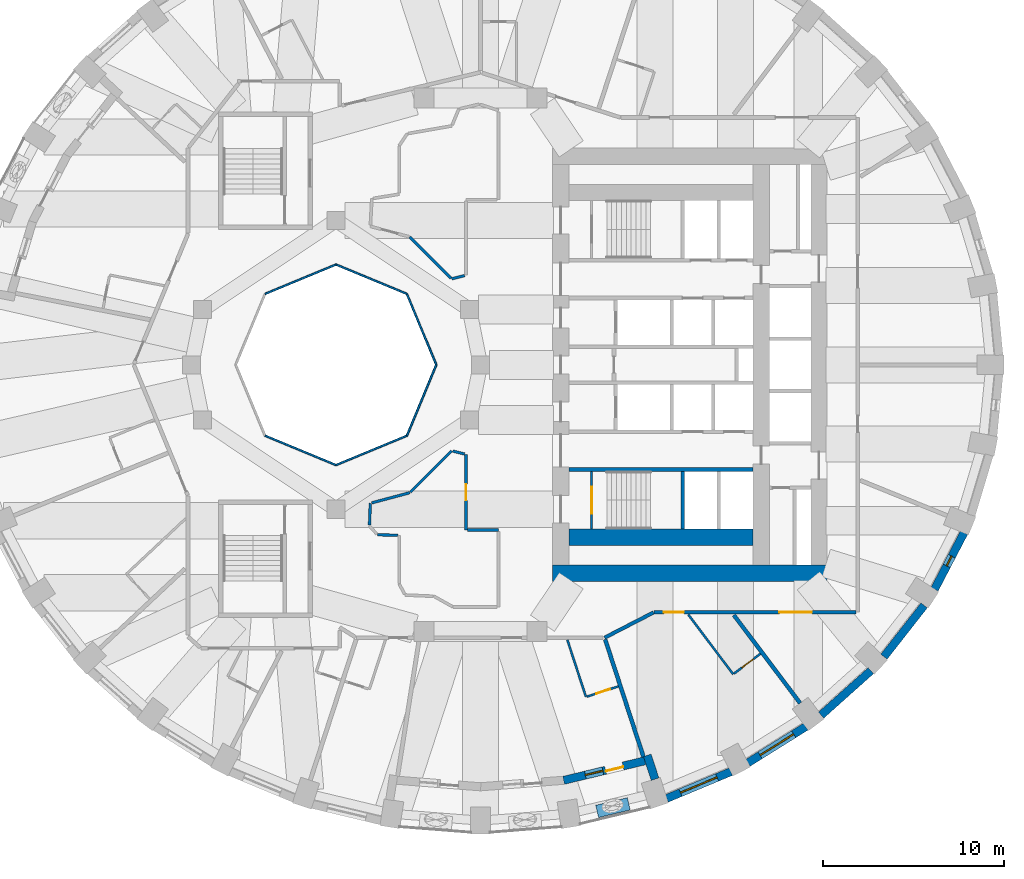
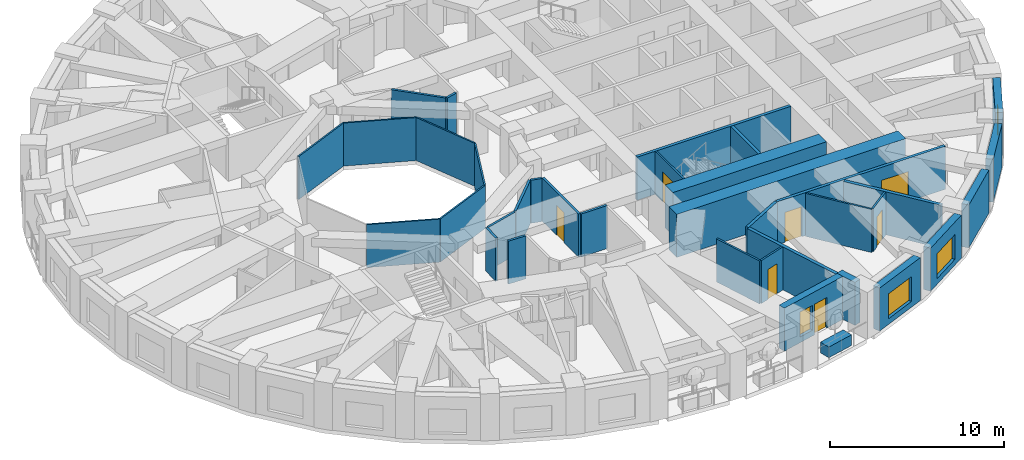
# One storey, part 5 of 13: 36 walls, 7 doors, 4 windows, 11 openings.
"""IFC4 building model written with IfcOpenShell, lengths in metres."""

from ifc_helpers import new_model, si_unit, direction, frame, frame_2d, origin, place, context, subcontext, project, spatial, rectangle, extrude, material, layer, layer_set, constituent, constituent_set, type_object, element, fill, save


model = new_model("IFC4")

# Units and contexts
model_context = context("Model", 3, precision=1e-05, world=origin(), true_north=direction((0.0, 1.0)))
body_context = subcontext(model_context, "Body", "Model", "MODEL_VIEW")
ifc_project = project(units=[si_unit("LENGTHUNIT", "METRE"), si_unit("AREAUNIT", "SQUARE_METRE"), si_unit("VOLUMEUNIT", "CUBIC_METRE"), si_unit("PLANEANGLEUNIT", "RADIAN"), si_unit("MASSUNIT", "GRAM", prefix="KILO")], contexts=[model_context])

# Site, building, storey
site_placement = place(None, origin())
site = spatial("IfcSite", under=ifc_project, at=site_placement, CompositionType="ELEMENT")
building_placement = place(site_placement, origin())
building = spatial("IfcBuilding", under=site, at=building_placement, Name="Taillehof Tower", CompositionType="ELEMENT")
storey_placement = place(building_placement, frame((0.0, 0.0, 71.199951171875)))
storey = spatial("IfcBuildingStorey", under=building, at=storey_placement, Name="L19", CompositionType="ELEMENT", Elevation=71.199951171875)

# Walls
ifc_material_1 = material(Name="Fire-resisting glass in steel frame", Category="steel")
ifc_layer_1 = layer(ifc_material_1, 0.10009765625)
ifc_layer_set_1 = layer_set([ifc_layer_1], Name="Atrium fire-resisting screen EI 60 100")
wall_type_1 = type_object("IfcWallType", Name="Atrium fire-resisting screen EI 60 100", PredefinedType="PARTITIONING", material=ifc_layer_set_1)
for number, where, z_axis, x_axis, name in (
    (1, (-2.44580078125, 0.0, 0.0), (0.0, 0.0, 1.0), (-0.382730523909, -0.923860025149, 0.0), "Atrium screen"),
    (2, (-4.07275390625, -3.92724609375, 0.0), (0.0, 0.0, 1.0), (-0.923860025149, -0.382730523909, 0.0), "Atrium screen"),
    (3, (-8.0, -5.55419921875, 0.0), (0.0, 0.0, 1.0), (-0.923860025149, 0.382730523909, 0.0), "Atrium screen"),
    (4, (-11.92724609375, 3.92724609375, 0.0), (0.0, 0.0, 1.0), (0.923860025149, 0.382730523909, 0.0), "Atrium screen"),
    (5, (-8.0, 5.55419921875, 0.0), (0.0, 0.0, 1.0), (0.923860025149, -0.382730523909, 0.0), "Atrium screen"),
    (6, (-4.07275390625, 3.92724609375, 0.0), (0.0, 0.0, 1.0), (0.382730523909, -0.923860025149, 0.0), "Atrium screen"),
):
    element("IfcWall", number, at=place(storey_placement, frame(where, z_axis=z_axis, x_axis=x_axis)), inside=storey, type_object=wall_type_1, Name=name, PredefinedType="PARTITIONING", context=body_context, shape_type="SweptSolid", body=[
        extrude(rectangle(XDim=4.2509765625, YDim=0.10009765625, at=frame_2d((2.12548828125, 0.0))), origin(), (0.0, 0.0, 1.0), 3.02001953125),
    ])

# Wall, opening, window
ifc_material_2 = material(Name="Brick masonry", Category="masonry")
ifc_layer_2 = layer(ifc_material_2, 0.449951171875)
ifc_layer_set_2 = layer_set([ifc_layer_2], Name="Brick infill wall 450")
wall_type_2 = type_object("IfcWallType", Name="Brick infill wall 450", PredefinedType="SOLIDWALL", material=ifc_layer_set_2)
wall_1_placement = place(storey_placement, frame((10.3154296875, -24.02099609375, 0.0), z_axis=(0.0, 0.0, 1.0), x_axis=(0.923031964282, 0.384723267966, 0.0)))
wall_1 = element("IfcWall", 7, at=wall_1_placement, inside=storey, type_object=wall_type_2, Name="Brick wall L19 bay 30", PredefinedType="SOLIDWALL", context=body_context, shape_type="SweptSolid", body=[
    extrude(rectangle(XDim=3.8564453125, YDim=0.449951171875, at=frame_2d((1.92822265625, 0.0))), origin(), (0.0, 0.0, 1.0), 3.02001953125),
])
opening_1_placement = place(wall_1_placement, frame((0.828125, 0.0, 0.39990234375)))
opening_1 = element("IfcOpeningElement", 8, at=opening_1_placement, cuts=wall_1, Name="Opening W1", PredefinedType="OPENING", context=body_context, shape_type="SweptSolid", body=[
    extrude(rectangle(XDim=2.199951171875, YDim=1.75, at=frame_2d((1.10009765625, 0.875))), frame((0.0, 0.23486328125, 0.0), z_axis=(0.0, -1.0, 0.0), x_axis=(1.0, 0.0, 0.0)), (0.0, 0.0, 1.0), 0.469970703125),
])
ifc_material_3 = material(Name="Aluminium window frame with clear double glazing", Category="aluminium")
window_type_1 = type_object("IfcWindowType", Name="Deep-set window 2200x1750", PartitioningType="SINGLE_PANEL", PredefinedType="WINDOW", material=ifc_material_3)
window_1_placement = place(opening_1_placement, origin())
window_1 = element("IfcWindow", 9, at=window_1_placement, inside=storey, type_object=window_type_1, Name="W1", OverallHeight=1.75, OverallWidth=2.199951171875, PartitioningType="SINGLE_PANEL", PredefinedType="WINDOW", context=body_context, shape_type="SweptSolid", body=[
    extrude(rectangle(XDim=2.199951171875, YDim=1.75, at=frame_2d((1.10009765625, 0.875))), frame((0.0, 0.034912109375, 0.0), z_axis=(0.0, -1.0, 0.0), x_axis=(1.0, 0.0, 0.0)), (0.0, 0.0, 1.0), 0.06005859375),
])
fill(opening_1, window_1)

wall_2_placement = place(storey_placement, frame((14.81689453125, -22.050537109375, 0.0), z_axis=(0.0, 0.0, 1.0), x_axis=(0.847635480093, 0.530579016629, 0.0)))
wall_2 = element("IfcWall", 10, at=wall_2_placement, inside=storey, type_object=wall_type_2, Name="Brick wall L19 bay 31", PredefinedType="SOLIDWALL", context=body_context, shape_type="SweptSolid", body=[
    extrude(rectangle(XDim=3.782470703125, YDim=0.449951171875, at=frame_2d((1.89111328125, 0.0))), origin(), (0.0, 0.0, 1.0), 3.02001953125),
])
opening_2_placement = place(wall_2_placement, frame((0.791259765625, 0.0, 0.39990234375)))
opening_2 = element("IfcOpeningElement", 11, at=opening_2_placement, cuts=wall_2, Name="Opening W1", PredefinedType="OPENING", context=body_context, shape_type="SweptSolid", body=[
    extrude(rectangle(XDim=2.199951171875, YDim=1.75, at=frame_2d((1.10009765625, 0.875))), frame((0.0, 0.23486328125, 0.0), z_axis=(0.0, -1.0, 0.0), x_axis=(1.0, 0.0, 0.0)), (0.0, 0.0, 1.0), 0.469970703125),
])
window_2_placement = place(opening_2_placement, origin())
window_2 = element("IfcWindow", 12, at=window_2_placement, inside=storey, type_object=window_type_1, Name="W1", OverallHeight=1.75, OverallWidth=2.199951171875, PartitioningType="SINGLE_PANEL", PredefinedType="WINDOW", context=body_context, shape_type="SweptSolid", body=[
    extrude(rectangle(XDim=2.199951171875, YDim=1.75, at=frame_2d((1.10009765625, 0.875))), frame((0.0, 0.034912109375, 0.0), z_axis=(0.0, -1.0, 0.0), x_axis=(1.0, 0.0, 0.0)), (0.0, 0.0, 1.0), 0.06005859375),
])
fill(opening_2, window_2)

# Walls
wall_3_placement = place(storey_placement, frame((18.87060546875, -19.406982421875, 0.0), z_axis=(0.0, 0.0, 1.0), x_axis=(0.745526233716, 0.66647628228, 0.0)))
element("IfcWall", 13, at=wall_3_placement, inside=storey, type_object=wall_type_2, Name="Brick wall L19 bay 32", PredefinedType="SOLIDWALL", context=body_context, shape_type="SweptSolid", body=[
    extrude(rectangle(XDim=3.69677734375, YDim=0.449951171875, at=frame_2d((1.848388671875, 0.0))), origin(), (0.0, 0.0, 1.0), 3.02001953125),
])
wall_4_placement = place(storey_placement, frame((22.3515625, -16.169677734375, 0.0), z_axis=(0.0, 0.0, 1.0), x_axis=(0.616661975264, 0.787228053529, 0.0)))
element("IfcWall", 14, at=wall_4_placement, inside=storey, type_object=wall_type_2, Name="Brick wall L19 bay 33", PredefinedType="SOLIDWALL", context=body_context, shape_type="SweptSolid", body=[
    extrude(rectangle(XDim=3.60986328125, YDim=0.449951171875, at=frame_2d((1.804931640625, 0.0))), origin(), (0.0, 0.0, 1.0), 3.02001953125),
])

# Wall, opening, window
wall_5_placement = place(storey_placement, frame((25.152099609375, -12.436767578125, 0.0), z_axis=(0.0, 0.0, 1.0), x_axis=(0.462492775226, 0.886623050041, 0.0)))
wall_5 = element("IfcWall", 15, at=wall_5_placement, inside=storey, type_object=wall_type_2, Name="Brick wall L19 bay 34", PredefinedType="SOLIDWALL", context=body_context, shape_type="SweptSolid", body=[
    extrude(rectangle(XDim=3.531982421875, YDim=0.449951171875, at=frame_2d((1.76611328125, 0.0))), origin(), (0.0, 0.0, 1.0), 3.02001953125),
])
opening_3_placement = place(wall_5_placement, frame((1.466064453125, 0.0, 0.39990234375)))
opening_3 = element("IfcOpeningElement", 16, at=opening_3_placement, cuts=wall_5, Name="Opening W6", PredefinedType="OPENING", context=body_context, shape_type="SweptSolid", body=[
    extrude(rectangle(XDim=0.60009765625, YDim=1.75, at=frame_2d((0.300048828125, 0.875))), frame((0.0, 0.23486328125, 0.0), z_axis=(0.0, -1.0, 0.0), x_axis=(1.0, 0.0, 0.0)), (0.0, 0.0, 1.0), 0.469970703125),
])
ifc_material_4 = material(Name="Aluminium window frame with clear double glazing", Category="aluminium")
window_type_2 = type_object("IfcWindowType", Name="Slot window 600x1750", PartitioningType="SINGLE_PANEL", PredefinedType="WINDOW", material=ifc_material_4)
window_3_placement = place(opening_3_placement, origin())
window_3 = element("IfcWindow", 17, at=window_3_placement, inside=storey, type_object=window_type_2, Name="W6", OverallHeight=1.75, OverallWidth=0.60009765625, PartitioningType="SINGLE_PANEL", PredefinedType="WINDOW", context=body_context, shape_type="SweptSolid", body=[
    extrude(rectangle(XDim=0.60009765625, YDim=1.75, at=frame_2d((0.300048828125, 0.875))), frame((0.0, 0.034912109375, 0.0), z_axis=(0.0, -1.0, 0.0), x_axis=(1.0, 0.0, 0.0)), (0.0, 0.0, 1.0), 0.06005859375),
])
fill(opening_3, window_3)

# Wall
wall_6_placement = place(storey_placement, frame((9.673583984375, -22.95556640625, 0.0), z_axis=(0.0, 0.0, 1.0), x_axis=(-0.310269011655, 0.950648799719, 0.0)))
element("IfcWall", 18, at=wall_6_placement, inside=storey, type_object=wall_type_2, Name="Brick reveal L19 pocket 8", PredefinedType="SOLIDWALL", context=body_context, shape_type="SweptSolid", body=[
    extrude(rectangle(XDim=1.390380859375, YDim=0.449951171875, at=frame_2d((0.6953125, 0.0))), origin(), (0.0, 0.0, 1.0), 3.02001953125),
])

# Wall, openings, door, window
wall_7_placement = place(storey_placement, frame((4.6083984375, -23.015625, 0.0), z_axis=(0.0, 0.0, 1.0), x_axis=(0.972343667289, 0.233554688847, 0.0)))
wall_7 = element("IfcWall", 19, at=wall_7_placement, inside=storey, type_object=wall_type_2, Name="Brick wall L19 pocket bay 29", PredefinedType="SOLIDWALL", context=body_context, shape_type="SweptSolid", body=[
    extrude(rectangle(XDim=4.62353515625, YDim=0.449951171875, at=frame_2d((2.311767578125, 0.0))), origin(), (0.0, 0.0, 1.0), 3.02001953125),
])
opening_4_placement = place(wall_7_placement, frame((1.23681640625, 0.0, 0.39990234375)))
opening_4 = element("IfcOpeningElement", 20, at=opening_4_placement, cuts=wall_7, Name="Opening W5", PredefinedType="OPENING", context=body_context, shape_type="SweptSolid", body=[
    extrude(rectangle(XDim=1.0, YDim=1.75, at=frame_2d((0.5, 0.875))), frame((0.0, 0.23486328125, 0.0), z_axis=(0.0, -1.0, 0.0), x_axis=(1.0, 0.0, 0.0)), (0.0, 0.0, 1.0), 0.469970703125),
])
opening_5_placement = place(wall_7_placement, frame((2.38671875, 0.0, 0.0)))
opening_5 = element("IfcOpeningElement", 21, at=opening_5_placement, cuts=wall_7, Name="Opening D1993", PredefinedType="OPENING", context=body_context, shape_type="SweptSolid", body=[
    extrude(rectangle(XDim=1.0, YDim=2.14990234375, at=frame_2d((0.5, 1.074951171875))), frame((0.0, 0.23486328125, 0.0), z_axis=(0.0, -1.0, 0.0), x_axis=(1.0, 0.0, 0.0)), (0.0, 0.0, 1.0), 0.469970703125),
])
ifc_material_5 = material(Name="Aluminium door frame with clear double glazing", Category="aluminium")
door_type_1 = type_object("IfcDoorType", Name="Balcony door 1000x2150", OperationType="SINGLE_SWING_RIGHT", PredefinedType="DOOR", material=ifc_material_5)
door_1_placement = place(opening_5_placement, frame((1.0, 0.0, 0.0), z_axis=(0.0, 0.0, 1.0), x_axis=(-1.0, 0.0, 0.0)))
door_1 = element("IfcDoor", 22, at=door_1_placement, inside=storey, type_object=door_type_1, Name="Balcony door L19 bay 29", OperationType="SINGLE_SWING_LEFT", OverallHeight=2.14990234375, OverallWidth=1.0, PredefinedType="DOOR", context=body_context, shape_type="SweptSolid", body=[
    extrude(rectangle(XDim=1.0, YDim=2.14990234375, at=frame_2d((0.5, 1.074951171875))), frame((0.0, 0.0751953125, 0.0), z_axis=(0.0, -1.0, 0.0), x_axis=(1.0, 0.0, 0.0)), (0.0, 0.0, 1.0), 0.050048828125),
])
fill(opening_5, door_1)
ifc_material_6 = material(Name="Aluminium window frame with clear double glazing", Category="aluminium")
window_type_3 = type_object("IfcWindowType", Name="Fixed window 1000x1750", PartitioningType="SINGLE_PANEL", PredefinedType="WINDOW", material=ifc_material_6)
window_4_placement = place(opening_4_placement, origin())
window_4 = element("IfcWindow", 23, at=window_4_placement, inside=storey, type_object=window_type_3, Name="W5", OverallHeight=1.75, OverallWidth=1.0, PartitioningType="SINGLE_PANEL", PredefinedType="WINDOW", context=body_context, shape_type="SweptSolid", body=[
    extrude(rectangle(XDim=1.0, YDim=1.75, at=frame_2d((0.5, 0.875))), frame((0.0, 0.034912109375, 0.0), z_axis=(0.0, -1.0, 0.0), x_axis=(1.0, 0.0, 0.0)), (0.0, 0.0, 1.0), 0.06005859375),
])
fill(opening_4, window_4)

# Wall, openings, doors
ifc_material_7 = material(Name="Gypsum board on steel studs, two layers each side", Category="steel")
ifc_layer_3 = layer(ifc_material_7, 0.199951171875)
ifc_layer_set_3 = layer_set([ifc_layer_3], Name="Compartment wall corridor 200")
wall_type_3 = type_object("IfcWallType", Name="Compartment wall corridor 200", PredefinedType="PARTITIONING", material=ifc_layer_set_3)
wall_8_placement = place(storey_placement, frame((20.7998046875, -13.699951171875, 0.0), z_axis=(0.0, 0.0, 1.0), x_axis=(-1.0, 0.0, 0.0)))
wall_8 = element("IfcWall", 24, at=wall_8_placement, inside=storey, type_object=wall_type_3, Name="Compartment wall", PredefinedType="PARTITIONING", context=body_context, shape_type="SweptSolid", body=[
    extrude(rectangle(XDim=11.178466796875, YDim=0.199951171875, at=frame_2d((5.58935546875, 0.0))), origin(), (0.0, 0.0, 1.0), 3.02001953125),
])
opening_6_placement = place(wall_8_placement, frame((9.53369140625, 0.0, 0.0)))
opening_6 = element("IfcOpeningElement", 25, at=opening_6_placement, cuts=wall_8, Name="Opening D1962", PredefinedType="OPENING", context=body_context, shape_type="SweptSolid", body=[
    extrude(rectangle(XDim=1.10009765625, YDim=2.10009765625, at=frame_2d((0.550048828125, 1.050048828125))), frame((0.0, 0.10986328125, 0.0), z_axis=(0.0, -1.0, 0.0), x_axis=(1.0, 0.0, 0.0)), (0.0, 0.0, 1.0), 0.219970703125),
])
opening_7_placement = place(wall_8_placement, frame((2.447998046875, 0.0, 0.0)))
opening_7 = element("IfcOpeningElement", 26, at=opening_7_placement, cuts=wall_8, Name="Opening D1964", PredefinedType="OPENING", context=body_context, shape_type="SweptSolid", body=[
    extrude(rectangle(XDim=1.800048828125, YDim=2.10009765625, at=frame_2d((0.89990234375, 1.050048828125))), frame((0.0, 0.10986328125, 0.0), z_axis=(0.0, -1.0, 0.0), x_axis=(1.0, 0.0, 0.0)), (0.0, 0.0, 1.0), 0.219970703125),
])
ifc_material_8 = material(Name="Timber door leaf in steel frame", Category="steel")
door_type_2 = type_object("IfcDoorType", Name="Lounge and meeting room double door EI 30 1800 x 2100", OperationType="SINGLE_SWING_LEFT", PredefinedType="DOOR", material=ifc_material_8)
door_2_placement = place(opening_7_placement, origin())
door_2 = element("IfcDoor", 27, at=door_2_placement, inside=storey, type_object=door_type_2, Name="D1964", OperationType="DOUBLE_DOOR_SINGLE_SWING", OverallHeight=2.10009765625, OverallWidth=1.800048828125, PredefinedType="DOOR", context=body_context, shape_type="SweptSolid", body=[
    extrude(rectangle(XDim=1.800048828125, YDim=2.10009765625, at=frame_2d((0.89990234375, 1.050048828125))), frame((0.0, 0.02490234375, 0.0), z_axis=(0.0, -1.0, 0.0), x_axis=(1.0, 0.0, 0.0)), (0.0, 0.0, 1.0), 0.050048828125),
])
fill(opening_7, door_2)
ifc_material_9 = material(Name="Timber door leaf in steel frame", Category="steel")
door_type_3 = type_object("IfcDoorType", Name="Suite entrance door EI 30 1100 x 2100", OperationType="SINGLE_SWING_LEFT", PredefinedType="DOOR", material=ifc_material_9)
door_3_placement = place(opening_6_placement, origin())
door_3 = element("IfcDoor", 28, at=door_3_placement, inside=storey, type_object=door_type_3, Name="D1962", OperationType="SINGLE_SWING_LEFT", OverallHeight=2.10009765625, OverallWidth=1.10009765625, PredefinedType="DOOR", context=body_context, shape_type="SweptSolid", body=[
    extrude(rectangle(XDim=1.10009765625, YDim=2.10009765625, at=frame_2d((0.550048828125, 1.050048828125))), frame((0.0, 0.02490234375, 0.0), z_axis=(0.0, -1.0, 0.0), x_axis=(1.0, 0.0, 0.0)), (0.0, 0.0, 1.0), 0.050048828125),
])
fill(opening_6, door_3)

# Walls
wall_9_placement = place(storey_placement, frame((9.585693359375, -13.718505859375, 0.0), z_axis=(0.0, 0.0, 1.0), x_axis=(-0.888664904046, -0.458557181076, 0.0)))
element("IfcWall", 29, at=wall_9_placement, inside=storey, type_object=wall_type_3, Name="Compartment wall", PredefinedType="PARTITIONING", context=body_context, shape_type="SweptSolid", body=[
    extrude(rectangle(XDim=3.04638671875, YDim=0.199951171875, at=frame_2d((1.523193359375, 0.0))), origin(), (0.0, 0.0, 1.0), 3.02001953125),
])
ifc_material_10 = material(Name="Gypsum board on double steel studs with mineral wool", Category="steel")
ifc_layer_4 = layer(ifc_material_10, 0.219970703125)
ifc_layer_set_4 = layer_set([ifc_layer_4], Name="Compartment wall guest room 220")
wall_type_4 = type_object("IfcWallType", Name="Compartment wall guest room 220", PredefinedType="PARTITIONING", material=ifc_layer_set_4)
wall_10_placement = place(storey_placement, frame((9.033935546875, -21.72119140625, 0.0), z_axis=(0.0, 0.0, 1.0), x_axis=(-0.310286072156, 0.95064323141, 0.0)))
element("IfcWall", 30, at=wall_10_placement, inside=storey, type_object=wall_type_4, Name="Compartment wall", PredefinedType="PARTITIONING", context=body_context, shape_type="SweptSolid", body=[
    extrude(rectangle(XDim=6.8486328125, YDim=0.219970703125, at=frame_2d((3.42431640625, 0.0))), origin(), (0.0, 0.0, 1.0), 3.02001953125),
])
wall_11_placement = place(storey_placement, frame((17.707763671875, -18.7431640625, 0.0), z_axis=(0.0, 0.0, 1.0), x_axis=(-0.601170031872, 0.799121137738, 0.0)))
element("IfcWall", 31, at=wall_11_placement, inside=storey, type_object=wall_type_4, Name="Compartment wall", PredefinedType="PARTITIONING", context=body_context, shape_type="SweptSolid", body=[
    extrude(rectangle(XDim=6.106201171875, YDim=0.219970703125, at=frame_2d((3.05322265625, 0.0))), origin(), (0.0, 0.0, 1.0), 3.02001953125),
])
ifc_material_11 = material(Name="Gypsum board on steel studs, two layers each side", Category="steel")
ifc_layer_5 = layer(ifc_material_11, 0.14990234375)
ifc_layer_set_5 = layer_set([ifc_layer_5], Name="Compartment wall service room 150")
wall_type_5 = type_object("IfcWallType", Name="Compartment wall service room 150", PredefinedType="PARTITIONING", material=ifc_layer_set_5)
wall_12_placement = place(storey_placement, frame((-0.877197265625, 4.94189453125, 0.0), z_axis=(0.0, 0.0, 1.0), x_axis=(-0.969671869719, -0.244410443874, 0.0)))
element("IfcWall", 32, at=wall_12_placement, inside=storey, type_object=wall_type_5, Name="Compartment wall", PredefinedType="PARTITIONING", context=body_context, shape_type="SweptSolid", body=[
    extrude(rectangle(XDim=0.735107421875, YDim=0.14990234375, at=frame_2d((0.36767578125, 0.0))), origin(), (0.0, 0.0, 1.0), 3.02001953125),
])
wall_13_placement = place(storey_placement, frame((-1.632568359375, 4.8046875, 0.0), z_axis=(0.0, 0.0, 1.0), x_axis=(-0.707068892009, 0.707144668334, 0.0)))
element("IfcWall", 33, at=wall_13_placement, inside=storey, type_object=wall_type_5, Name="Compartment wall", PredefinedType="PARTITIONING", context=body_context, shape_type="SweptSolid", body=[
    extrude(rectangle(XDim=3.221923828125, YDim=0.14990234375, at=frame_2d((1.61083984375, 0.0))), origin(), (0.0, 0.0, 1.0), 3.02001953125),
])

# Wall, opening, door
wall_14_placement = place(storey_placement, frame((-0.800048828125, -4.96142578125, 0.0), z_axis=(0.0, 0.0, 1.0), x_axis=(0.0, -1.0, 0.0)))
wall_14 = element("IfcWall", 34, at=wall_14_placement, inside=storey, type_object=wall_type_5, Name="Compartment wall", PredefinedType="PARTITIONING", context=body_context, shape_type="SweptSolid", body=[
    extrude(rectangle(XDim=4.1884765625, YDim=0.14990234375, at=frame_2d((2.09423828125, 0.0))), origin(), (0.0, 0.0, 1.0), 3.02001953125),
])
opening_8_placement = place(wall_14_placement, frame((1.644287109375, 0.0, 0.0)))
opening_8 = element("IfcOpeningElement", 35, at=opening_8_placement, cuts=wall_14, Name="Opening D1969", PredefinedType="OPENING", context=body_context, shape_type="SweptSolid", body=[
    extrude(rectangle(XDim=0.89990234375, YDim=2.10009765625, at=frame_2d((0.449951171875, 1.050048828125))), frame((0.0, 0.0849609375, 0.0), z_axis=(0.0, -1.0, 0.0), x_axis=(1.0, 0.0, 0.0)), (0.0, 0.0, 1.0), 0.169921875),
])
ifc_material_12 = material(Name="Timber door leaf in steel frame", Category="steel")
door_type_4 = type_object("IfcDoorType", Name="Service room door EI 30 900 x 2100", OperationType="SINGLE_SWING_LEFT", PredefinedType="DOOR", material=ifc_material_12)
door_4_placement = place(opening_8_placement, origin())
door_4 = element("IfcDoor", 36, at=door_4_placement, inside=storey, type_object=door_type_4, Name="D1969", OperationType="SINGLE_SWING_RIGHT", OverallHeight=2.10009765625, OverallWidth=0.89990234375, PredefinedType="DOOR", context=body_context, shape_type="SweptSolid", body=[
    extrude(rectangle(XDim=0.89990234375, YDim=2.10009765625, at=frame_2d((0.449951171875, 1.050048828125))), frame((0.0, 0.02490234375, 0.0), z_axis=(0.0, -1.0, 0.0), x_axis=(1.0, 0.0, 0.0)), (0.0, 0.0, 1.0), 0.050048828125),
])
fill(opening_8, door_4)

# Walls
wall_15_placement = place(storey_placement, frame((-0.719970703125, -9.14990234375, 0.0), z_axis=(0.0, 0.0, 1.0), x_axis=(1.0, 0.0, 0.0)))
element("IfcWall", 37, at=wall_15_placement, inside=storey, type_object=wall_type_5, Name="Compartment wall", PredefinedType="PARTITIONING", context=body_context, shape_type="SweptSolid", body=[
    extrude(rectangle(XDim=1.719970703125, YDim=0.14990234375, at=frame_2d((0.85986328125, 0.0))), origin(), (0.0, 0.0, 1.0), 3.02001953125),
])
wall_16_placement = place(storey_placement, frame((-4.580078125, -9.447021484375, 0.0), z_axis=(0.0, 0.0, 1.0), x_axis=(-0.999526758156, 0.030761334993, 0.0)))
element("IfcWall", 38, at=wall_16_placement, inside=storey, type_object=wall_type_5, Name="Compartment wall", PredefinedType="PARTITIONING", context=body_context, shape_type="SweptSolid", body=[
    extrude(rectangle(XDim=1.126953125, YDim=0.14990234375, at=frame_2d((0.5634765625, 0.0))), origin(), (0.0, 0.0, 1.0), 3.02001953125),
])
wall_17_placement = place(storey_placement, frame((-6.146240234375, -8.86474609375, 0.0), z_axis=(0.0, 0.0, 1.0), x_axis=(0.038582079081, 0.999255434398, 0.0)))
element("IfcWall", 39, at=wall_17_placement, inside=storey, type_object=wall_type_5, Name="Compartment wall", PredefinedType="PARTITIONING", context=body_context, shape_type="SweptSolid", body=[
    extrude(rectangle(XDim=1.196044921875, YDim=0.14990234375, at=frame_2d((0.59814453125, 0.0))), origin(), (0.0, 0.0, 1.0), 3.02001953125),
])
wall_18_placement = place(storey_placement, frame((-6.02294921875, -7.649169921875, 0.0), z_axis=(0.0, 0.0, 1.0), x_axis=(0.965906186456, 0.258892330836, 0.0)))
element("IfcWall", 40, at=wall_18_placement, inside=storey, type_object=wall_type_5, Name="Compartment wall", PredefinedType="PARTITIONING", context=body_context, shape_type="SweptSolid", body=[
    extrude(rectangle(XDim=2.186767578125, YDim=0.14990234375, at=frame_2d((1.09326171875, 0.0))), origin(), (0.0, 0.0, 1.0), 3.02001953125),
])
wall_19_placement = place(storey_placement, frame((-3.88232421875, -7.0546875, 0.0), z_axis=(0.0, 0.0, 1.0), x_axis=(0.707069126061, 0.707144434307, 0.0)))
element("IfcWall", 41, at=wall_19_placement, inside=storey, type_object=wall_type_5, Name="Compartment wall", PredefinedType="PARTITIONING", context=body_context, shape_type="SweptSolid", body=[
    extrude(rectangle(XDim=3.241943359375, YDim=0.14990234375, at=frame_2d((1.62109375, 0.0))), origin(), (0.0, 0.0, 1.0), 3.02001953125),
])
wall_20_placement = place(storey_placement, frame((-1.5322265625, -4.77685546875, 0.0), z_axis=(0.0, 0.0, 1.0), x_axis=(0.969694394352, -0.244321062461, 0.0)))
element("IfcWall", 42, at=wall_20_placement, inside=storey, type_object=wall_type_5, Name="Compartment wall", PredefinedType="PARTITIONING", context=body_context, shape_type="SweptSolid", body=[
    extrude(rectangle(XDim=0.675537109375, YDim=0.14990234375, at=frame_2d((0.337890625, 0.0))), origin(), (0.0, 0.0, 1.0), 3.02001953125),
])
ifc_material_13 = material(Name="Concrete C80/95", Category="concrete")
ifc_layer_6 = layer(ifc_material_13, 0.89990234375)
ifc_layer_set_6 = layer_set([ifc_layer_6], Name="Core wall C80/95 900")
wall_type_6 = type_object("IfcWallType", Name="Core wall C80/95 900", PredefinedType="SHEAR", material=ifc_layer_set_6)
wall_21_placement = place(storey_placement, frame((4.0, -11.550048828125, 0.0), z_axis=(0.0, 0.0, 1.0), x_axis=(1.0, 0.0, 0.0)))
element("IfcWall", 43, at=wall_21_placement, inside=storey, type_object=wall_type_6, Name="Core wall CW04", PredefinedType="SHEAR", context=body_context, shape_type="SweptSolid", body=[
    extrude(rectangle(XDim=15.199951171875, YDim=0.89990234375, at=frame_2d((7.60009765625, 0.0))), origin(), (0.0, 0.0, 1.0), 3.02001953125),
])
wall_22_placement = place(storey_placement, frame((4.89990234375, -9.550048828125, 0.0), z_axis=(0.0, 0.0, 1.0), x_axis=(1.0, 0.0, 0.0)))
element("IfcWall", 44, at=wall_22_placement, inside=storey, type_object=wall_type_6, Name="Core wall CW07", PredefinedType="SHEAR", context=body_context, shape_type="SweptSolid", body=[
    extrude(rectangle(XDim=10.2001953125, YDim=0.89990234375, at=frame_2d((5.10009765625, 0.0))), origin(), (0.0, 0.0, 1.0), 3.02001953125),
])
ifc_material_14 = material(Name="Gypsum board on steel studs, moisture resistant", Category="steel")
ifc_layer_7 = layer(ifc_material_14, 0.1201171875)
ifc_layer_set_7 = layer_set([ifc_layer_7], Name="En-suite wall 120")
wall_type_7 = type_object("IfcWallType", Name="En-suite wall 120", PredefinedType="PARTITIONING", material=ifc_layer_set_7)
wall_23_placement = place(storey_placement, frame((4.8134765625, -15.234619140625, 0.0), z_axis=(0.0, 0.0, 1.0), x_axis=(0.310233981264, -0.950660232086, 0.0)))
element("IfcWall", 45, at=wall_23_placement, inside=storey, type_object=wall_type_7, Name="En-suite wall", PredefinedType="PARTITIONING", context=body_context, shape_type="SweptSolid", body=[
    extrude(rectangle(XDim=3.3271484375, YDim=0.1201171875, at=frame_2d((1.66357421875, 0.0))), origin(), (0.0, 0.0, 1.0), 3.02001953125),
])
wall_24_placement = place(storey_placement, frame((11.51025390625, -13.831787109375, 0.0), z_axis=(0.0, 0.0, 1.0), x_axis=(0.60115060605, -0.7991357512, 0.0)))
element("IfcWall", 46, at=wall_24_placement, inside=storey, type_object=wall_type_7, Name="En-suite wall", PredefinedType="PARTITIONING", context=body_context, shape_type="SweptSolid", body=[
    extrude(rectangle(XDim=4.1396484375, YDim=0.1201171875, at=frame_2d((2.06982421875, 0.0))), origin(), (0.0, 0.0, 1.0), 3.02001953125),
])

# Wall, opening, door
wall_25_placement = place(storey_placement, frame((5.90283203125, -18.37939453125, 0.0), z_axis=(0.0, 0.0, 1.0), x_axis=(0.950626343776, 0.310337807105, 0.0)))
wall_25 = element("IfcWall", 47, at=wall_25_placement, inside=storey, type_object=wall_type_7, Name="En-suite wall", PredefinedType="PARTITIONING", context=body_context, shape_type="SweptSolid", body=[
    extrude(rectangle(XDim=1.829833984375, YDim=0.1201171875, at=frame_2d((0.9150390625, 0.0))), origin(), (0.0, 0.0, 1.0), 3.02001953125),
])
opening_9_placement = place(wall_25_placement, frame((0.5400390625, 0.0, 0.0)))
opening_9 = element("IfcOpeningElement", 48, at=opening_9_placement, cuts=wall_25, Name="Opening D1961", PredefinedType="OPENING", context=body_context, shape_type="SweptSolid", body=[
    extrude(rectangle(XDim=0.800048828125, YDim=2.10009765625, at=frame_2d((0.39990234375, 1.050048828125))), frame((0.0, 0.070068359375, 0.0), z_axis=(0.0, -1.0, 0.0), x_axis=(1.0, 0.0, 0.0)), (0.0, 0.0, 1.0), 0.14013671875),
])
ifc_material_15 = material(Name="Timber door leaf in steel frame", Category="steel")
door_type_5 = type_object("IfcDoorType", Name="En-suite door 800 x 2100", OperationType="SINGLE_SWING_LEFT", PredefinedType="DOOR", material=ifc_material_15)
door_5_placement = place(opening_9_placement, origin())
door_5 = element("IfcDoor", 49, at=door_5_placement, inside=storey, type_object=door_type_5, Name="D1961", OperationType="SINGLE_SWING_LEFT", OverallHeight=2.10009765625, OverallWidth=0.800048828125, PredefinedType="DOOR", context=body_context, shape_type="SweptSolid", body=[
    extrude(rectangle(XDim=0.800048828125, YDim=2.10009765625, at=frame_2d((0.39990234375, 1.050048828125))), frame((0.0, 0.02490234375, 0.0), z_axis=(0.0, -1.0, 0.0), x_axis=(1.0, 0.0, 0.0)), (0.0, 0.0, 1.0), 0.050048828125),
])
fill(opening_9, door_5)

wall_26_placement = place(storey_placement, frame((14.046630859375, -17.103759765625, 0.0), z_axis=(0.0, 0.0, 1.0), x_axis=(0.799182868338, 0.601087966071, 0.0)))
wall_26 = element("IfcWall", 50, at=wall_26_placement, inside=storey, type_object=wall_type_7, Name="En-suite wall", PredefinedType="PARTITIONING", context=body_context, shape_type="SweptSolid", body=[
    extrude(rectangle(XDim=1.830078125, YDim=0.1201171875, at=frame_2d((0.9150390625, 0.0))), origin(), (0.0, 0.0, 1.0), 3.02001953125),
])
opening_10_placement = place(wall_26_placement, frame((0.5400390625, 0.0, 0.0)))
opening_10 = element("IfcOpeningElement", 51, at=opening_10_placement, cuts=wall_26, Name="Opening D1963", PredefinedType="OPENING", context=body_context, shape_type="SweptSolid", body=[
    extrude(rectangle(XDim=0.800048828125, YDim=2.10009765625, at=frame_2d((0.39990234375, 1.050048828125))), frame((0.0, 0.070068359375, 0.0), z_axis=(0.0, -1.0, 0.0), x_axis=(1.0, 0.0, 0.0)), (0.0, 0.0, 1.0), 0.14013671875),
])
door_6_placement = place(opening_10_placement, origin())
door_6 = element("IfcDoor", 52, at=door_6_placement, inside=storey, type_object=door_type_5, Name="D1963", OperationType="SINGLE_SWING_LEFT", OverallHeight=2.10009765625, OverallWidth=0.800048828125, PredefinedType="DOOR", context=body_context, shape_type="SweptSolid", body=[
    extrude(rectangle(XDim=0.800048828125, YDim=2.10009765625, at=frame_2d((0.39990234375, 1.050048828125))), frame((0.0, 0.02490234375, 0.0), z_axis=(0.0, -1.0, 0.0), x_axis=(1.0, 0.0, 0.0)), (0.0, 0.0, 1.0), 0.050048828125),
])
fill(opening_10, door_6)

# Walls
ifc_material_16 = material(Name="Concrete C30/37 precast", Category="concrete")
ifc_constituent_1 = constituent(ifc_material_16, Name="Structure", Category="concrete")
ifc_material_17 = material(Name="Insulated lining")
ifc_constituent_2 = constituent(ifc_material_17, Name="Lining")
ifc_constituent_set = constituent_set(constituents=[ifc_constituent_1, ifc_constituent_2], Name="Planter trough 700x750")
wall_type_8 = type_object("IfcWallType", Name="Planter trough 700x750", PredefinedType="USERDEFINED", material=ifc_constituent_set)
wall_27_placement = place(storey_placement, frame((6.464599609375, -24.7373046875, 0.0), z_axis=(0.0, 0.0, 1.0), x_axis=(0.972504142103, 0.232885580473, 0.0)))
element("IfcWall", 53, at=wall_27_placement, inside=storey, type_object=wall_type_8, Name="Planter L19 bay 29", ObjectType="PLANTER", PredefinedType="USERDEFINED", context=body_context, shape_type="SweptSolid", body=[
    extrude(rectangle(XDim=1.800048828125, YDim=0.699951171875, at=frame_2d((0.89990234375, 0.0))), origin(), (0.0, 0.0, 1.0), 0.75),
])
ifc_material_18 = material(Name="Concrete C50/60", Category="concrete")
ifc_layer_8 = layer(ifc_material_18, 0.199951171875)
ifc_layer_set_8 = layer_set([ifc_layer_8], Name="Shaft wall C50/60 200")
wall_type_9 = type_object("IfcWallType", Name="Shaft wall C50/60 200", PredefinedType="SHEAR", material=ifc_layer_set_8)
wall_28_placement = place(storey_placement, frame((4.89990234375, -5.800048828125, 0.0), z_axis=(0.0, 0.0, 1.0), x_axis=(1.0, 0.0, 0.0)))
element("IfcWall", 54, at=wall_28_placement, inside=storey, type_object=wall_type_9, Name="Shaft wall SW", PredefinedType="SHEAR", context=body_context, shape_type="SweptSolid", body=[
    extrude(rectangle(XDim=10.2001953125, YDim=0.199951171875, at=frame_2d((5.10009765625, 0.0))), origin(), (0.0, 0.0, 1.0), 3.02001953125),
])
wall_29_placement = place(storey_placement, frame((11.199951171875, -9.10009765625, 0.0), z_axis=(0.0, 0.0, 1.0), x_axis=(0.0, 1.0, 0.0)))
element("IfcWall", 55, at=wall_29_placement, inside=storey, type_object=wall_type_9, Name="Shaft wall SW", PredefinedType="SHEAR", context=body_context, shape_type="SweptSolid", body=[
    extrude(rectangle(XDim=3.2001953125, YDim=0.199951171875, at=frame_2d((1.60009765625, 0.0))), origin(), (0.0, 0.0, 1.0), 3.02001953125),
])

# Wall, opening, door
ifc_material_19 = material(Name="Concrete C50/60", Category="concrete")
ifc_layer_9 = layer(ifc_material_19, 0.1201171875)
ifc_layer_set_9 = layer_set([ifc_layer_9], Name="Stair lobby wall C50/60 120")
wall_type_10 = type_object("IfcWallType", Name="Stair lobby wall C50/60 120", PredefinedType="SHEAR", material=ifc_layer_set_9)
wall_30_placement = place(storey_placement, frame((6.159912109375, -9.10009765625, 0.0), z_axis=(0.0, 0.0, 1.0), x_axis=(0.0, 1.0, 0.0)))
wall_30 = element("IfcWall", 56, at=wall_30_placement, inside=storey, type_object=wall_type_10, Name="Compartment wall SW", PredefinedType="SHEAR", context=body_context, shape_type="SweptSolid", body=[
    extrude(rectangle(XDim=3.2001953125, YDim=0.1201171875, at=frame_2d((1.60009765625, 0.0))), origin(), (0.0, 0.0, 1.0), 3.02001953125),
])
opening_11_placement = place(wall_30_placement, frame((0.85009765625, 0.0, 0.0)))
opening_11 = element("IfcOpeningElement", 57, at=opening_11_placement, cuts=wall_30, Name="Opening D1911", PredefinedType="OPENING", context=body_context, shape_type="SweptSolid", body=[
    extrude(rectangle(XDim=1.5, YDim=2.10009765625, at=frame_2d((0.75, 1.050048828125))), frame((0.0, 0.070068359375, 0.0), z_axis=(0.0, -1.0, 0.0), x_axis=(1.0, 0.0, 0.0)), (0.0, 0.0, 1.0), 0.14013671875),
])
ifc_material_20 = material(Name="Steel-faced fire door", Category="steel")
door_type_6 = type_object("IfcDoorType", Name="Stair door 1500x2100", OperationType="DOUBLE_DOOR_SINGLE_SWING", PredefinedType="DOOR", material=ifc_material_20)
door_7_placement = place(opening_11_placement, origin())
door_7 = element("IfcDoor", 58, at=door_7_placement, inside=storey, type_object=door_type_6, Name="Stair lobby door S2", OperationType="DOUBLE_DOOR_SINGLE_SWING", OverallHeight=2.10009765625, OverallWidth=1.5, PredefinedType="DOOR", context=body_context, shape_type="SweptSolid", body=[
    extrude(rectangle(XDim=1.5, YDim=2.10009765625, at=frame_2d((0.75, 1.050048828125))), frame((0.0, 0.02490234375, 0.0), z_axis=(0.0, -1.0, 0.0), x_axis=(1.0, 0.0, 0.0)), (0.0, 0.0, 1.0), 0.050048828125),
])
fill(opening_11, door_7)

save(model, "model.ifc")
